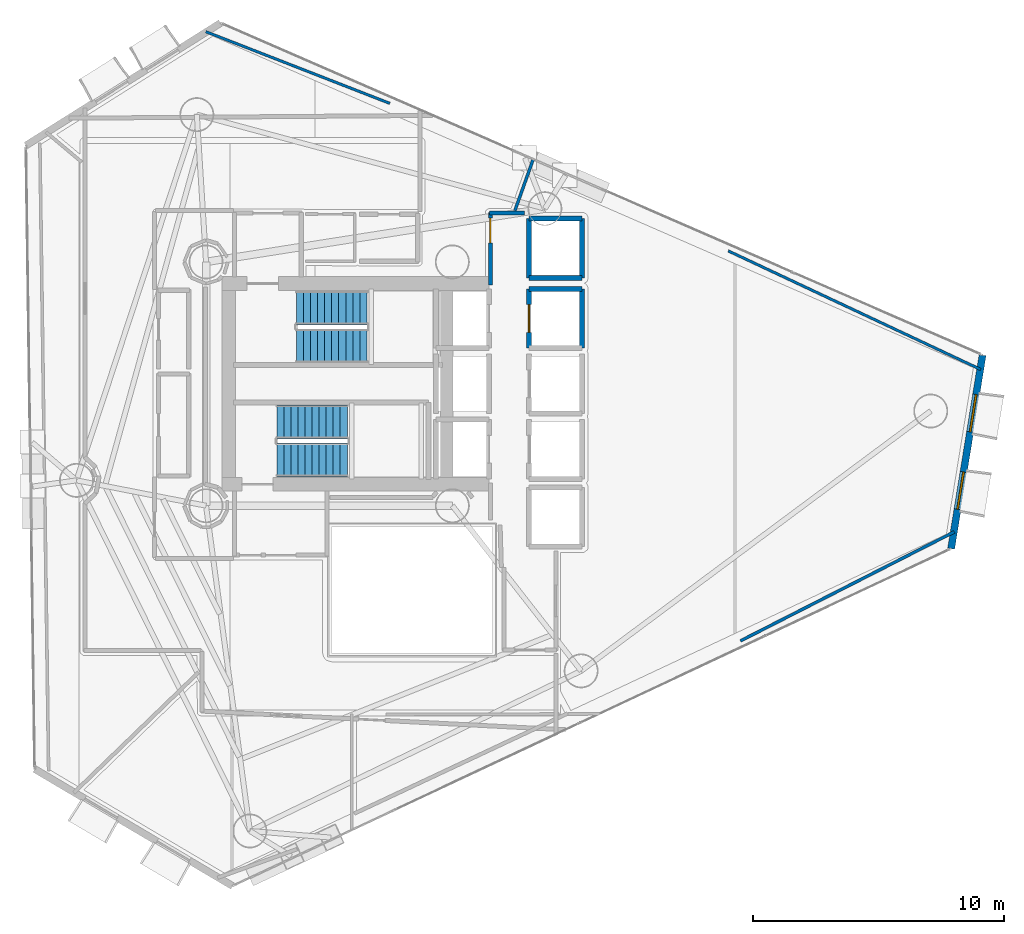
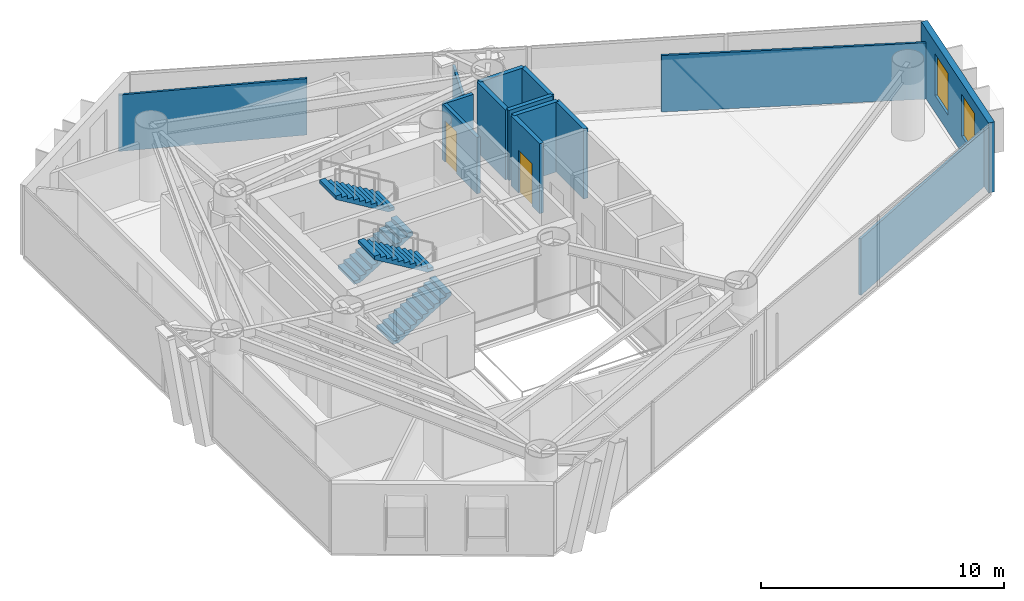
# One storey, part 18 of 20: 14 walls, 4 stair flights, 2 doors, 2 windows, 4 openings, 2 elements without a shape of their own.
"""IFC4 building model written with IfcOpenShell, lengths in metres."""

from ifc_helpers import new_model, si_unit, direction, frame, frame_2d, origin, place, context, subcontext, project, spatial, polyline, rectangle, outline, extrude, material, layer, layer_set, type_object, element, fill, aggregate, save


model = new_model("IFC4")

# Units and contexts
model_context = context("Model", 3, precision=1e-05, world=origin(), true_north=direction((0.0, 1.0)))
body_context = subcontext(model_context, "Body", "Model", "MODEL_VIEW")
ifc_project = project(units=[si_unit("LENGTHUNIT", "METRE"), si_unit("AREAUNIT", "SQUARE_METRE"), si_unit("VOLUMEUNIT", "CUBIC_METRE"), si_unit("PLANEANGLEUNIT", "RADIAN"), si_unit("MASSUNIT", "GRAM", prefix="KILO")], contexts=[model_context])

# Site, building, storey
site_placement = place(None, origin())
site = spatial("IfcSite", under=ifc_project, at=site_placement, CompositionType="ELEMENT")
building_placement = place(site_placement, origin())
building = spatial("IfcBuilding", under=site, at=building_placement, Name="Qianvela Tower", CompositionType="ELEMENT")
storey_placement = place(building_placement, frame((0.0, 0.0, 151.300048828125)))
storey = spatial("IfcBuildingStorey", under=building, at=storey_placement, Name="L38", CompositionType="ELEMENT", Elevation=151.300048828125)

# Wall, openings, windows
ifc_material_1 = material(Name="Terracotta Cladding on Concrete C40", Category="masonry")
ifc_layer_1 = layer(ifc_material_1, 0.280029296875)
ifc_layer_set_1 = layer_set([ifc_layer_1], Name="Terracotta Cladding on Concrete C40")
wall_type_1 = type_object("IfcWallType", Name="TERRACOTTA-WALL-280", PredefinedType="SOLIDWALL", material=ifc_layer_set_1)
wall_1_placement = place(storey_placement, frame((58.247314453125, 22.142578125, 0.0), z_axis=(0.0, 0.0, 1.0), x_axis=(0.160295411126, 0.987069086322, 0.0)))
wall_1 = element("IfcWall", 1, at=wall_1_placement, inside=storey, type_object=wall_type_1, Name="L38 Terracotta Chamfer Facet Wall 1", PredefinedType="SOLIDWALL", context=body_context, shape_type="SweptSolid", body=[
    extrude(rectangle(XDim=7.798095703125, YDim=0.280029296875, at=frame_2d((3.89892578125, 0.0))), origin(), (0.0, 0.0, 1.0), 3.52001953125),
])
opening_1_placement = place(wall_1_placement, frame((1.58935546875, 0.0, 0.85009765625)))
opening_1 = element("IfcOpeningElement", 2, at=opening_1_placement, cuts=wall_1, Name="Opening W-02", PredefinedType="OPENING", context=body_context, shape_type="SweptSolid", body=[
    extrude(rectangle(XDim=1.5, YDim=2.10009765625, at=frame_2d((0.75, 1.050048828125))), frame((0.0, 0.14990234375, 0.0), z_axis=(0.0, -1.0, 0.0), x_axis=(1.0, 0.0, 0.0)), (0.0, 0.0, 1.0), 0.300048828125),
])
opening_2_placement = place(wall_1_placement, frame((4.70849609375, 0.0, 0.85009765625)))
opening_2 = element("IfcOpeningElement", 3, at=opening_2_placement, cuts=wall_1, Name="Opening W-02", PredefinedType="OPENING", context=body_context, shape_type="SweptSolid", body=[
    extrude(rectangle(XDim=1.5, YDim=2.10009765625, at=frame_2d((0.75, 1.050048828125))), frame((0.0, 0.14990234375, 0.0), z_axis=(0.0, -1.0, 0.0), x_axis=(1.0, 0.0, 0.0)), (0.0, 0.0, 1.0), 0.300048828125),
])
ifc_material_2 = material(Name="Thermally Broken Aluminium and Low-E Glass", Category="aluminium")
window_type = type_object("IfcWindowType", Name="WIN-TC-1500x2100", PartitioningType="DOUBLE_PANEL_VERTICAL", PredefinedType="WINDOW", material=ifc_material_2)
window_1_placement = place(opening_1_placement, origin())
window_1 = element("IfcWindow", 4, at=window_1_placement, inside=storey, type_object=window_type, Name="L38 Chamfer Facet Window 1.1", OverallHeight=2.10009765625, OverallWidth=1.5, PartitioningType="SINGLE_PANEL", PredefinedType="WINDOW", context=body_context, shape_type="SweptSolid", body=[
    extrude(rectangle(XDim=1.5, YDim=2.10009765625, at=frame_2d((0.75, 1.050048828125))), frame((0.0, 0.030029296875, 0.0), z_axis=(0.0, -1.0, 0.0), x_axis=(1.0, 0.0, 0.0)), (0.0, 0.0, 1.0), 0.06005859375),
])
fill(opening_1, window_1)
window_2_placement = place(opening_2_placement, origin())
window_2 = element("IfcWindow", 5, at=window_2_placement, inside=storey, type_object=window_type, Name="L38 Chamfer Facet Window 1.2", OverallHeight=2.10009765625, OverallWidth=1.5, PartitioningType="SINGLE_PANEL", PredefinedType="WINDOW", context=body_context, shape_type="SweptSolid", body=[
    extrude(rectangle(XDim=1.5, YDim=2.10009765625, at=frame_2d((0.75, 1.050048828125))), frame((0.0, 0.030029296875, 0.0), z_axis=(0.0, -1.0, 0.0), x_axis=(1.0, 0.0, 0.0)), (0.0, 0.0, 1.0), 0.06005859375),
])
fill(opening_2, window_2)

# Wall, opening, door
ifc_material_3 = material(Name="Fire-Rated Gypsum and Concrete Block", Category="concrete")
ifc_layer_2 = layer(ifc_material_3, 0.159912109375)
ifc_layer_set_2 = layer_set([ifc_layer_2], Name="Fire-Rated Gypsum and Concrete Block")
wall_type_2 = type_object("IfcWallType", Name="WT-CORR-160", PredefinedType="PARTITIONING", material=ifc_layer_set_2)
wall_2_placement = place(storey_placement, frame((39.910888671875, 32.639892578125, 0.0), z_axis=(0.0, 0.0, 1.0), x_axis=(0.0, 1.0, 0.0)))
wall_2 = element("IfcWall", 6, at=wall_2_placement, inside=storey, type_object=wall_type_2, Name="L38 Partition 12", PredefinedType="PARTITIONING", context=body_context, shape_type="SweptSolid", body=[
    extrude(rectangle(XDim=2.880126953125, YDim=0.159912109375, at=frame_2d((1.43994140625, 0.0))), origin(), (0.0, 0.0, 1.0), 2.83984375),
])
opening_3_placement = place(wall_2_placement, frame((1.669921875, 0.0, 0.0)))
opening_3 = element("IfcOpeningElement", 7, at=opening_3_placement, cuts=wall_2, Name="Opening D-RM1", PredefinedType="OPENING", context=body_context, shape_type="SweptSolid", body=[
    extrude(rectangle(XDim=0.97998046875, YDim=2.10009765625, at=frame_2d((0.489990234375, 1.050048828125))), frame((0.0, 0.08984375, 0.0), z_axis=(0.0, -1.0, 0.0), x_axis=(1.0, 0.0, 0.0)), (0.0, 0.0, 1.0), 0.179931640625),
])
ifc_material_4 = material(Name="Solid Core Acoustic Timber Fire Door", Category="wood")
door_type_1 = type_object("IfcDoorType", Name="DT-ROOM-FD60", OperationType="NOTDEFINED", PredefinedType="DOOR", material=ifc_material_4)
door_1_placement = place(opening_3_placement, origin())
door_1 = element("IfcDoor", 8, at=door_1_placement, inside=storey, type_object=door_type_1, Name="L38 Door Student Wellness Lounge L38-05 to L38 Lift Lobby", OperationType="SINGLE_SWING_RIGHT", OverallHeight=2.10009765625, OverallWidth=0.97998046875, PredefinedType="DOOR", context=body_context, shape_type="SweptSolid", body=[
    extrude(rectangle(XDim=0.97998046875, YDim=2.10009765625, at=frame_2d((0.489990234375, 1.050048828125))), frame((0.0, 0.02490234375, 0.0), z_axis=(0.0, -1.0, 0.0), x_axis=(1.0, 0.0, 0.0)), (0.0, 0.0, 1.0), 0.050048828125),
])
fill(opening_3, door_1)

# Walls
wall_3_placement = place(storey_placement, frame((39.8798828125, 35.489013671875, 0.0), z_axis=(0.0, 0.0, 1.0), x_axis=(1.0, 0.0, 0.0)))
element("IfcWall", 9, at=wall_3_placement, inside=storey, type_object=wall_type_2, Name="L38 Partition 13", PredefinedType="PARTITIONING", context=body_context, shape_type="SweptSolid", body=[
    extrude(rectangle(XDim=1.3828125, YDim=0.159912109375, at=frame_2d((0.69140625, 0.0))), origin(), (0.0, 0.0, 1.0), 2.83984375),
])
ifc_material_5 = material(Name="Lightweight Gypsum Room Partition")
ifc_layer_3 = layer(ifc_material_5, 0.10498046875)
ifc_layer_set_3 = layer_set([ifc_layer_3], Name="Lightweight Gypsum Room Partition")
wall_type_3 = type_object("IfcWallType", Name="WT-PART-105", PredefinedType="PARTITIONING", material=ifc_layer_set_3)
wall_4_placement = place(storey_placement, frame((49.376708984375, 33.98974609375, 0.0), z_axis=(0.0, 0.0, 1.0), x_axis=(0.905132467521, -0.42512964639, 0.0)))
element("IfcWall", 10, at=wall_4_placement, inside=storey, type_object=wall_type_3, Name="L38 Partition 98 seg 2", PredefinedType="PARTITIONING", context=body_context, shape_type="SweptSolid", body=[
    extrude(rectangle(XDim=11.1005859375, YDim=0.10498046875, at=frame_2d((5.55029296875, 0.0))), origin(), (0.0, 0.0, 1.0), 2.83984375),
])
wall_5_placement = place(storey_placement, frame((28.593017578125, 42.710205078125, 0.0), z_axis=(0.0, 0.0, 1.0), x_axis=(0.931790495884, -0.362996517588, 0.0)))
element("IfcWall", 11, at=wall_5_placement, inside=storey, type_object=wall_type_3, Name="L38 Partition 110 seg 1", PredefinedType="PARTITIONING", context=body_context, shape_type="SweptSolid", body=[
    extrude(rectangle(XDim=7.85693359375, YDim=0.10498046875, at=frame_2d((3.928466796875, 0.0))), origin(), (0.0, 0.0, 1.0), 2.83984375),
])
ifc_material_6 = material(Name="Insulated Gypsum Stud Partition")
ifc_layer_4 = layer(ifc_material_6, 0.1201171875)
ifc_layer_set_4 = layer_set([ifc_layer_4], Name="Insulated Gypsum Stud Partition")
wall_type_4 = type_object("IfcWallType", Name="WT-PART-120", PredefinedType="PARTITIONING", material=ifc_layer_set_4)
wall_6_placement = place(storey_placement, frame((40.88818359375, 35.589599609375, 0.0), z_axis=(0.0, 0.0, 1.0), x_axis=(0.336053947572, 0.941842738636, 0.0)))
element("IfcWall", 12, at=wall_6_placement, inside=storey, type_object=wall_type_4, Name="L38 Partition 97", PredefinedType="PARTITIONING", context=body_context, shape_type="SweptSolid", body=[
    extrude(rectangle(XDim=2.1904296875, YDim=0.1201171875, at=frame_2d((1.09521484375, 0.0))), origin(), (0.0, 0.0, 1.0), 2.83984375),
])
wall_7_placement = place(storey_placement, frame((58.37255859375, 22.810302734375, 0.0), z_axis=(0.0, 0.0, 1.0), x_axis=(-0.890845286188, -0.45430680831, 0.0)))
element("IfcWall", 13, at=wall_7_placement, inside=storey, type_object=wall_type_4, Name="L38 Partition 100 seg 1", PredefinedType="PARTITIONING", context=body_context, shape_type="SweptSolid", body=[
    extrude(rectangle(XDim=9.549560546875, YDim=0.1201171875, at=frame_2d((4.77490234375, 0.0))), origin(), (0.0, 0.0, 1.0), 2.83984375),
])
ifc_material_7 = material(Name="Concrete C50", Category="concrete")
ifc_layer_5 = layer(ifc_material_7, 0.199951171875)
ifc_layer_set_5 = layer_set([ifc_layer_5], Name="Concrete C50")
wall_type_5 = type_object("IfcWallType", Name="WT-SHAFT-200", PredefinedType="SOLIDWALL", material=ifc_layer_set_5)
wall_8_placement = place(storey_placement, frame((43.550048828125, 30.1201171875, 0.0), z_axis=(0.0, 0.0, 1.0), x_axis=(0.0, 1.0, 0.0)))
element("IfcWall", 14, at=wall_8_placement, inside=storey, type_object=wall_type_5, Name="L38 Lift PL-M1 E Shaft Wall", PredefinedType="SOLIDWALL", context=body_context, shape_type="SweptSolid", body=[
    extrude(rectangle(XDim=2.35986328125, YDim=0.199951171875, at=frame_2d((1.179931640625, 0.0))), origin(), (0.0, 0.0, 1.0), 3.52001953125),
])

# Wall, opening, door
wall_9_placement = place(storey_placement, frame((41.449951171875, 30.1201171875, 0.0), z_axis=(0.0, 0.0, 1.0), x_axis=(0.0, 1.0, 0.0)))
wall_9 = element("IfcWall", 15, at=wall_9_placement, inside=storey, type_object=wall_type_5, Name="L38 Lift PL-M1 W Shaft Wall", PredefinedType="SOLIDWALL", context=body_context, shape_type="SweptSolid", body=[
    extrude(rectangle(XDim=2.35986328125, YDim=0.199951171875, at=frame_2d((1.179931640625, 0.0))), origin(), (0.0, 0.0, 1.0), 3.52001953125),
])
opening_4_placement = place(wall_9_placement, frame((0.6298828125, 0.0, 0.0)))
opening_4 = element("IfcOpeningElement", 16, at=opening_4_placement, cuts=wall_9, Name="Opening LD-01", PredefinedType="OPENING", context=body_context, shape_type="SweptSolid", body=[
    extrude(rectangle(XDim=1.10009765625, YDim=2.14990234375, at=frame_2d((0.550048828125, 1.074951171875))), frame((0.0, 0.10986328125, 0.0), z_axis=(0.0, -1.0, 0.0), x_axis=(1.0, 0.0, 0.0)), (0.0, 0.0, 1.0), 0.219970703125),
])
ifc_material_8 = material(Name="Brushed Stainless Steel Lift Landing Door", Category="steel")
door_type_2 = type_object("IfcDoorType", Name="DT-LIFT-SLIDE-1100", OperationType="SLIDING_TO_LEFT", PredefinedType="DOOR", material=ifc_material_8)
door_2_placement = place(opening_4_placement, origin())
door_2 = element("IfcDoor", 17, at=door_2_placement, inside=storey, type_object=door_type_2, Name="L38 Lift PL-M1 Sliding Landing Door", OperationType="SLIDING_TO_LEFT", OverallHeight=2.14990234375, OverallWidth=1.10009765625, PredefinedType="DOOR", context=body_context, shape_type="SweptSolid", body=[
    extrude(rectangle(XDim=1.10009765625, YDim=2.14990234375, at=frame_2d((0.550048828125, 1.074951171875))), frame((0.0, 0.02490234375, 0.0), z_axis=(0.0, -1.0, 0.0), x_axis=(1.0, 0.0, 0.0)), (0.0, 0.0, 1.0), 0.050048828125),
])
fill(opening_4, door_2)

# Walls
wall_10_placement = place(storey_placement, frame((41.449951171875, 32.47998046875, 0.0), z_axis=(0.0, 0.0, 1.0), x_axis=(1.0, 0.0, 0.0)))
element("IfcWall", 18, at=wall_10_placement, inside=storey, type_object=wall_type_5, Name="L38 Lift PL-M1 N Shaft Wall", PredefinedType="SOLIDWALL", context=body_context, shape_type="SweptSolid", body=[
    extrude(rectangle(XDim=2.10009765625, YDim=0.199951171875, at=frame_2d((1.050048828125, 0.0))), origin(), (0.0, 0.0, 1.0), 3.52001953125),
])
for number, where, z_axis, x_axis, name in (
    (19, (43.550048828125, 32.919921875, 0.0), (0.0, 0.0, 1.0), (0.0, 1.0, 0.0), "L38 Lift PL-H3 E Shaft Wall"),
    (20, (41.449951171875, 32.919921875, 0.0), (0.0, 0.0, 1.0), (0.0, 1.0, 0.0), "L38 Lift PL-H3 W Shaft Wall"),
):
    element("IfcWall", number, at=place(storey_placement, frame(where, z_axis=z_axis, x_axis=x_axis)), inside=storey, type_object=wall_type_5, Name=name, PredefinedType="SOLIDWALL", context=body_context, shape_type="SweptSolid", body=[
        extrude(rectangle(XDim=2.360107421875, YDim=0.199951171875, at=frame_2d((1.18017578125, 0.0))), origin(), (0.0, 0.0, 1.0), 3.52001953125),
    ])
for number, where, z_axis, x_axis, name in (
    (21, (41.449951171875, 35.280029296875, 0.0), (0.0, 0.0, 1.0), (1.0, 0.0, 0.0), "L38 Lift PL-H3 N Shaft Wall"),
    (22, (41.449951171875, 32.919921875, 0.0), (0.0, 0.0, 1.0), (1.0, 0.0, 0.0), "L38 Lift PL-H3 S Shaft Wall"),
):
    element("IfcWall", number, at=place(storey_placement, frame(where, z_axis=z_axis, x_axis=x_axis)), inside=storey, type_object=wall_type_5, Name=name, PredefinedType="SOLIDWALL", context=body_context, shape_type="SweptSolid", body=[
        extrude(rectangle(XDim=2.10009765625, YDim=0.199951171875, at=frame_2d((1.050048828125, 0.0))), origin(), (0.0, 0.0, 1.0), 3.52001953125),
    ])

# Stair, stair flights
ifc_material_9 = material(Name="Concrete C40", Category="concrete")
stair_type = type_object("IfcStairType", Name="ST-DOGLEG-1350-R168-N22", PredefinedType="HALF_TURN_STAIR", material=ifc_material_9)
stair_1_placement = place(storey_placement, origin())
stair_1 = element("IfcStair", 23, at=stair_1_placement, inside=storey, type_object=stair_type, Name="L38 Smoke-Proof Core Stair ST-1", PredefinedType="HALF_TURN_STAIR")
ifc_material_10 = material(Name="Concrete C40", Category="concrete")
stair_flight_type = type_object("IfcStairFlightType", Name="STF-STRAIGHT-R168-P11", PredefinedType="STRAIGHT", material=ifc_material_10)
stair_flight_1_placement = place(storey_placement, frame((32.199951171875, 30.215087890625, 0.0), z_axis=(0.0, 0.0, 1.0), x_axis=(1.0, 0.0, 0.0)))
stair_flight_1 = element("IfcStairFlight", 24, at=stair_flight_1_placement, type_object=stair_flight_type, Name="ST-1 flight 1", NumberOfRisers=11, NumberOfTreads=10, PredefinedType="STRAIGHT", RiserHeight=0.168181818, TreadLength=0.28, context=body_context, shape_type="SweptSolid", body=[
    extrude(outline(polyline([(0.0, 0.0), (0.0, 0.168212890625), (0.280029296875, 0.168212890625), (0.280029296875, 0.33642578125), (0.56005859375, 0.33642578125), (0.56005859375, 0.504638671875), (0.840087890625, 0.504638671875), (0.840087890625, 0.672607421875), (1.1201171875, 0.672607421875), (1.1201171875, 0.8408203125), (1.39990234375, 0.8408203125), (1.39990234375, 1.009033203125), (1.679931640625, 1.009033203125), (1.679931640625, 1.17724609375), (1.9599609375, 1.17724609375), (1.9599609375, 1.345458984375), (2.239990234375, 1.345458984375), (2.239990234375, 1.513671875), (2.52001953125, 1.513671875), (2.52001953125, 1.681884765625), (2.800048828125, 1.681884765625), (2.800048828125, 1.85009765625), (2.800048828125, 1.5068359375), (0.291015625, 0.0), (0.0, 0.0)])), frame((0.0, 0.675048828125, 0.0), z_axis=(0.0, -1.0, 0.0), x_axis=(1.0, 0.0, 0.0)), (0.0, 0.0, 1.0), 1.35009765625),
])
stair_flight_2_placement = place(storey_placement, frame((35.0, 31.72509765625, 1.849853515625), z_axis=(0.0, 0.0, 1.0), x_axis=(-1.0, 0.0, 0.0)))
stair_flight_2 = element("IfcStairFlight", 25, at=stair_flight_2_placement, type_object=stair_flight_type, Name="ST-1 flight 2", NumberOfRisers=11, NumberOfTreads=10, PredefinedType="STRAIGHT", RiserHeight=0.168181818, TreadLength=0.28, context=body_context, shape_type="SweptSolid", body=[
    extrude(outline(polyline([(0.0, 0.0), (0.0, 0.168212890625), (0.280029296875, 0.168212890625), (0.280029296875, 0.33642578125), (0.56005859375, 0.33642578125), (0.56005859375, 0.504638671875), (0.840087890625, 0.504638671875), (0.840087890625, 0.672607421875), (1.1201171875, 0.672607421875), (1.1201171875, 0.8408203125), (1.39990234375, 0.8408203125), (1.39990234375, 1.009033203125), (1.679931640625, 1.009033203125), (1.679931640625, 1.17724609375), (1.9599609375, 1.17724609375), (1.9599609375, 1.345458984375), (2.239990234375, 1.345458984375), (2.239990234375, 1.513671875), (2.52001953125, 1.513671875), (2.52001953125, 1.681884765625), (2.800048828125, 1.681884765625), (2.800048828125, 1.85009765625), (2.800048828125, 1.5068359375), (0.291015625, 0.0), (0.0, 0.0)])), frame((0.0, 0.675048828125, 0.0), z_axis=(0.0, -1.0, 0.0), x_axis=(1.0, 0.0, 0.0)), (0.0, 0.0, 1.0), 1.35009765625),
])
aggregate(stair_1, [stair_flight_1, stair_flight_2])

stair_2_placement = place(storey_placement, origin())
stair_2 = element("IfcStair", 26, at=stair_2_placement, inside=storey, type_object=stair_type, Name="L38 Smoke-Proof Core Stair ST-2", PredefinedType="HALF_TURN_STAIR")
stair_flight_3_placement = place(storey_placement, frame((31.419921875, 25.675048828125, 0.0), z_axis=(0.0, 0.0, 1.0), x_axis=(1.0, 0.0, 0.0)))
stair_flight_3 = element("IfcStairFlight", 27, at=stair_flight_3_placement, type_object=stair_flight_type, Name="ST-2 flight 1", NumberOfRisers=11, NumberOfTreads=10, PredefinedType="STRAIGHT", RiserHeight=0.168181818, TreadLength=0.28, context=body_context, shape_type="SweptSolid", body=[
    extrude(outline(polyline([(0.0, 0.0), (0.0, 0.168212890625), (0.280029296875, 0.168212890625), (0.280029296875, 0.33642578125), (0.56005859375, 0.33642578125), (0.56005859375, 0.504638671875), (0.840087890625, 0.504638671875), (0.840087890625, 0.672607421875), (1.1201171875, 0.672607421875), (1.1201171875, 0.8408203125), (1.39990234375, 0.8408203125), (1.39990234375, 1.009033203125), (1.679931640625, 1.009033203125), (1.679931640625, 1.17724609375), (1.9599609375, 1.17724609375), (1.9599609375, 1.345458984375), (2.239990234375, 1.345458984375), (2.239990234375, 1.513671875), (2.52001953125, 1.513671875), (2.52001953125, 1.681884765625), (2.800048828125, 1.681884765625), (2.800048828125, 1.85009765625), (2.800048828125, 1.5068359375), (0.291015625, 0.0), (0.0, 0.0)])), frame((0.0, 0.675048828125, 0.0), z_axis=(0.0, -1.0, 0.0), x_axis=(1.0, 0.0, 0.0)), (0.0, 0.0, 1.0), 1.35009765625),
])
stair_flight_4_placement = place(storey_placement, frame((34.219970703125, 27.18505859375, 1.849853515625), z_axis=(0.0, 0.0, 1.0), x_axis=(-1.0, 0.0, 0.0)))
stair_flight_4 = element("IfcStairFlight", 28, at=stair_flight_4_placement, type_object=stair_flight_type, Name="ST-2 flight 2", NumberOfRisers=11, NumberOfTreads=10, PredefinedType="STRAIGHT", RiserHeight=0.168181818, TreadLength=0.28, context=body_context, shape_type="SweptSolid", body=[
    extrude(outline(polyline([(0.0, 0.0), (0.0, 0.168212890625), (0.280029296875, 0.168212890625), (0.280029296875, 0.33642578125), (0.56005859375, 0.33642578125), (0.56005859375, 0.504638671875), (0.840087890625, 0.504638671875), (0.840087890625, 0.672607421875), (1.1201171875, 0.672607421875), (1.1201171875, 0.8408203125), (1.39990234375, 0.8408203125), (1.39990234375, 1.009033203125), (1.679931640625, 1.009033203125), (1.679931640625, 1.17724609375), (1.9599609375, 1.17724609375), (1.9599609375, 1.345458984375), (2.239990234375, 1.345458984375), (2.239990234375, 1.513671875), (2.52001953125, 1.513671875), (2.52001953125, 1.681884765625), (2.800048828125, 1.681884765625), (2.800048828125, 1.85009765625), (2.800048828125, 1.5068359375), (0.291015625, 0.0), (0.0, 0.0)])), frame((0.0, 0.675048828125, 0.0), z_axis=(0.0, -1.0, 0.0), x_axis=(1.0, 0.0, 0.0)), (0.0, 0.0, 1.0), 1.35009765625),
])
aggregate(stair_2, [stair_flight_3, stair_flight_4])

save(model, "model.ifc")
